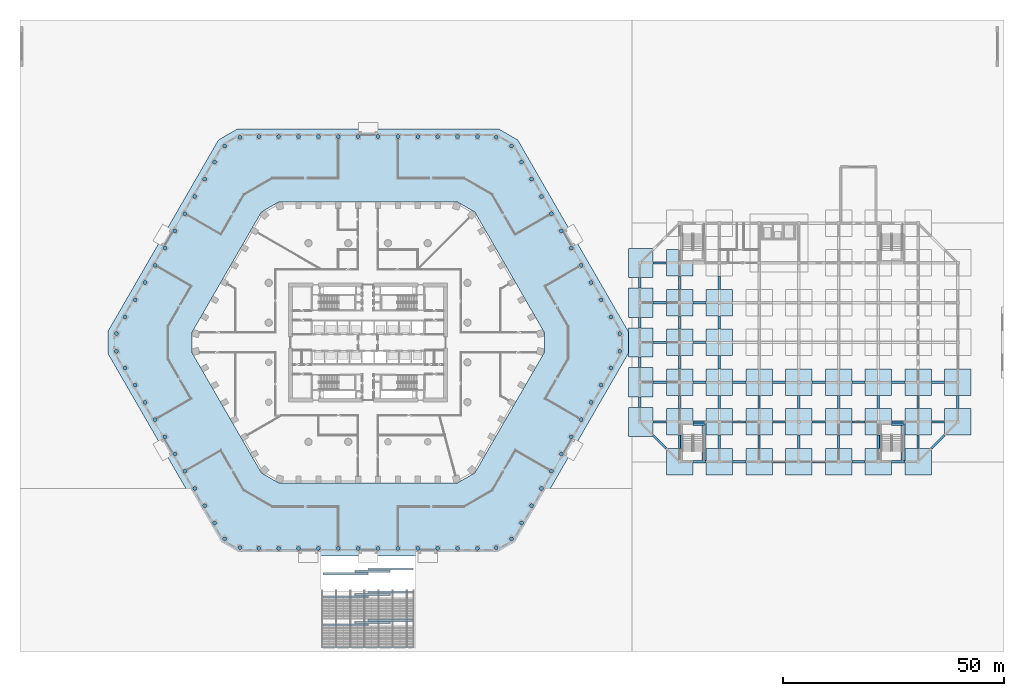
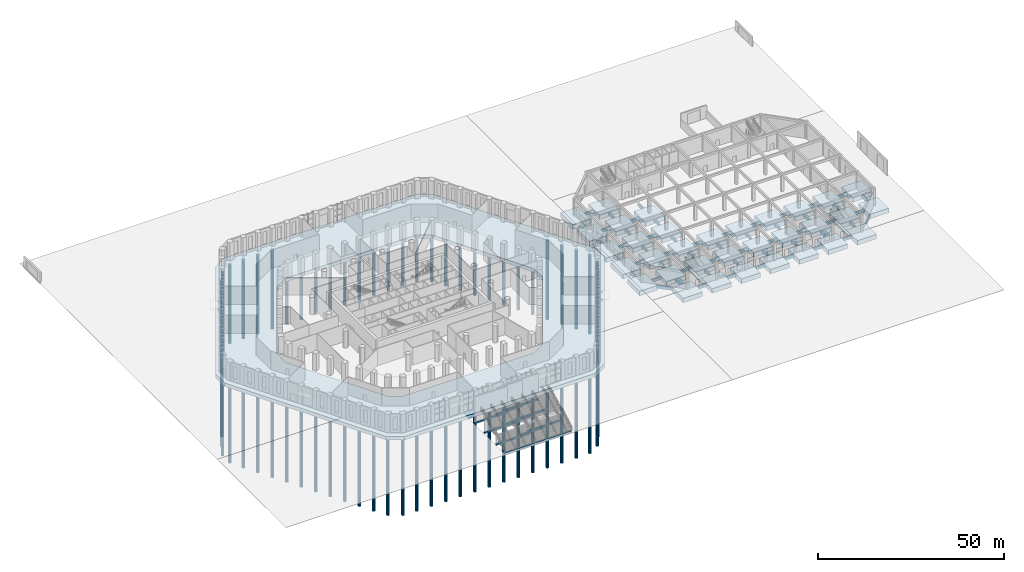
# One storey, part 1 of 44: 104 footings, 76 piles.
"""IFC4 building model written with IfcOpenShell, lengths in metres."""

from ifc_helpers import new_model, si_unit, direction, frame, origin, origin_2d, place, context, subcontext, project, spatial, polyline, rectangle, circle, outline, extrude, material, layer, layer_set, material_profile, profile_set, type_object, element, save


model = new_model("IFC4")

# Units and contexts
model_context = context("Model", 3, precision=1e-05, world=origin(), true_north=direction((0.0, 1.0)))
body_context = subcontext(model_context, "Body", "Model", "MODEL_VIEW")
ifc_project = project(units=[si_unit("LENGTHUNIT", "METRE"), si_unit("AREAUNIT", "SQUARE_METRE"), si_unit("VOLUMEUNIT", "CUBIC_METRE"), si_unit("PLANEANGLEUNIT", "RADIAN"), si_unit("MASSUNIT", "GRAM", prefix="KILO")], contexts=[model_context])

# Site, building, storey
site_placement = place(None, origin())
site = spatial("IfcSite", under=ifc_project, at=site_placement, CompositionType="ELEMENT")
building_placement = place(site_placement, origin())
building = spatial("IfcBuilding", under=site, at=building_placement, Name="Dhurran Vertical Campus", CompositionType="ELEMENT")
storey_placement = place(building_placement, origin())
storey = spatial("IfcBuildingStorey", under=building, at=storey_placement, Name="L00", CompositionType="ELEMENT", Elevation=0.0)

# Piles
ifc_material_1 = material(Name="Concrete C50/60", Category="concrete")
ifc_material_profile_1 = material_profile(ifc_material_1, circle(Radius=0.449951171875, at=origin_2d()), Name="fd/pile/D900")
ifc_profile_set_1 = profile_set([ifc_material_profile_1], Name="Concrete C50/60")
pile_type = type_object("IfcPileType", Name="fd/pile/D900", PredefinedType="BORED", material=ifc_profile_set_1)
for number, where, z_axis, x_axis, name in (
    (1, (-56.97900390625, -2.00390625, -1.5), (0.0, 0.0, -1.0), (1.0, 0.0, 0.0), "Bored pile PL2-001"),
    (2, (-56.97900390625, 2.00390625, -1.5), (0.0, 0.0, -1.0), (1.0, 0.0, 0.0), "Bored pile PL2-002"),
    (3, (-54.998046875, -5.77197265625, -1.5), (0.0, 0.0, -1.0), (1.0, 0.0, 0.0), "Bored pile PL2-003"),
    (4, (-54.998046875, 5.77197265625, -1.5), (0.0, 0.0, -1.0), (1.0, 0.0, 0.0), "Bored pile PL2-004"),
    (5, (-52.748046875, -9.6689453125, -1.5), (0.0, 0.0, -1.0), (1.0, 0.0, 0.0), "Bored pile PL2-005"),
    (6, (-52.748046875, 9.6689453125, -1.5), (0.0, 0.0, -1.0), (1.0, 0.0, 0.0), "Bored pile PL2-006"),
    (7, (-50.498046875, -13.56591796875, -1.5), (0.0, 0.0, -1.0), (1.0, 0.0, 0.0), "Bored pile PL2-007"),
    (8, (-50.498046875, 13.56591796875, -1.5), (0.0, 0.0, -1.0), (1.0, 0.0, 0.0), "Bored pile PL2-008"),
    (9, (-48.248046875, -17.462890625, -1.5), (0.0, 0.0, -1.0), (1.0, 0.0, 0.0), "Bored pile PL2-009"),
    (10, (-48.248046875, 17.462890625, -1.5), (0.0, 0.0, -1.0), (1.0, 0.0, 0.0), "Bored pile PL2-010"),
    (11, (-45.998046875, -21.361083984375, -1.5), (0.0, 0.0, -1.0), (1.0, 0.0, 0.0), "Bored pile PL2-011"),
    (12, (-45.998046875, 21.361083984375, -1.5), (0.0, 0.0, -1.0), (1.0, 0.0, 0.0), "Bored pile PL2-012"),
    (13, (-43.748046875, -25.258056640625, -1.5), (0.0, 0.0, -1.0), (1.0, 0.0, 0.0), "Bored pile PL2-013"),
    (14, (-43.748046875, 25.258056640625, -1.5), (0.0, 0.0, -1.0), (1.0, 0.0, 0.0), "Bored pile PL2-014"),
    (15, (-41.498046875, -29.155029296875, -1.5), (0.0, 0.0, -1.0), (1.0, 0.0, 0.0), "Bored pile PL2-015"),
    (16, (-41.498046875, 29.155029296875, -1.5), (0.0, 0.0, -1.0), (1.0, 0.0, 0.0), "Bored pile PL2-016"),
    (17, (-39.248046875, -33.052001953125, -1.5), (0.0, 0.0, -1.0), (1.0, 0.0, 0.0), "Bored pile PL2-017"),
    (18, (-39.248046875, 33.052001953125, -1.5), (0.0, 0.0, -1.0), (1.0, 0.0, 0.0), "Bored pile PL2-018"),
    (19, (-36.998046875, -36.948974609375, -1.5), (0.0, 0.0, -1.0), (1.0, 0.0, 0.0), "Bored pile PL2-019"),
    (20, (-36.998046875, 36.948974609375, -1.5), (0.0, 0.0, -1.0), (1.0, 0.0, 0.0), "Bored pile PL2-020"),
    (21, (-34.748046875, -40.845947265625, -1.5), (0.0, 0.0, -1.0), (1.0, 0.0, 0.0), "Bored pile PL2-021"),
    (22, (-34.748046875, 40.845947265625, -1.5), (0.0, 0.0, -1.0), (1.0, 0.0, 0.0), "Bored pile PL2-022"),
    (23, (-32.47509765625, -44.446044921875, -1.5), (0.0, 0.0, -1.0), (1.0, 0.0, 0.0), "Bored pile PL2-023"),
    (24, (-32.47509765625, 44.446044921875, -1.5), (0.0, 0.0, -1.0), (1.0, 0.0, 0.0), "Bored pile PL2-024"),
    (25, (-29.00390625, -46.449951171875, -1.5), (0.0, 0.0, -1.0), (1.0, 0.0, 0.0), "Bored pile PL2-025"),
    (26, (-29.00390625, 46.449951171875, -1.5), (0.0, 0.0, -1.0), (1.0, 0.0, 0.0), "Bored pile PL2-026"),
    (27, (-24.75, -46.617919921875, -1.5), (0.0, 0.0, -1.0), (1.0, 0.0, 0.0), "Bored pile PL2-027"),
    (28, (-24.75, 46.617919921875, -1.5), (0.0, 0.0, -1.0), (1.0, 0.0, 0.0), "Bored pile PL2-028"),
    (29, (-20.25, -46.617919921875, -1.5), (0.0, 0.0, -1.0), (1.0, 0.0, 0.0), "Bored pile PL2-029"),
    (30, (-20.25, 46.617919921875, -1.5), (0.0, 0.0, -1.0), (1.0, 0.0, 0.0), "Bored pile PL2-030"),
    (31, (-15.75, -46.617919921875, -1.5), (0.0, 0.0, -1.0), (1.0, 0.0, 0.0), "Bored pile PL2-031"),
    (32, (-15.75, 46.617919921875, -1.5), (0.0, 0.0, -1.0), (1.0, 0.0, 0.0), "Bored pile PL2-032"),
    (33, (-11.25, -46.617919921875, -1.5), (0.0, 0.0, -1.0), (1.0, 0.0, 0.0), "Bored pile PL2-033"),
    (34, (-11.25, 46.617919921875, -1.5), (0.0, 0.0, -1.0), (1.0, 0.0, 0.0), "Bored pile PL2-034"),
    (35, (-6.75, -46.617919921875, -1.5), (0.0, 0.0, -1.0), (1.0, 0.0, 0.0), "Bored pile PL2-035"),
    (36, (-6.75, 46.617919921875, -1.5), (0.0, 0.0, -1.0), (1.0, 0.0, 0.0), "Bored pile PL2-036"),
    (37, (-2.25, -46.617919921875, -1.5), (0.0, 0.0, -1.0), (1.0, 0.0, 0.0), "Bored pile PL2-037"),
    (38, (-2.25, 46.617919921875, -1.5), (0.0, 0.0, -1.0), (1.0, 0.0, 0.0), "Bored pile PL2-038"),
    (39, (2.25, -46.617919921875, -1.5), (0.0, 0.0, -1.0), (1.0, 0.0, 0.0), "Bored pile PL2-039"),
    (40, (2.25, 46.617919921875, -1.5), (0.0, 0.0, -1.0), (1.0, 0.0, 0.0), "Bored pile PL2-040"),
    (41, (6.75, -46.617919921875, -1.5), (0.0, 0.0, -1.0), (1.0, 0.0, 0.0), "Bored pile PL2-041"),
    (42, (6.75, 46.617919921875, -1.5), (0.0, 0.0, -1.0), (1.0, 0.0, 0.0), "Bored pile PL2-042"),
    (43, (11.25, -46.617919921875, -1.5), (0.0, 0.0, -1.0), (1.0, 0.0, 0.0), "Bored pile PL2-043"),
    (44, (11.25, 46.617919921875, -1.5), (0.0, 0.0, -1.0), (1.0, 0.0, 0.0), "Bored pile PL2-044"),
    (45, (15.75, -46.617919921875, -1.5), (0.0, 0.0, -1.0), (1.0, 0.0, 0.0), "Bored pile PL2-045"),
    (46, (15.75, 46.617919921875, -1.5), (0.0, 0.0, -1.0), (1.0, 0.0, 0.0), "Bored pile PL2-046"),
    (47, (20.25, -46.617919921875, -1.5), (0.0, 0.0, -1.0), (1.0, 0.0, 0.0), "Bored pile PL2-047"),
    (48, (20.25, 46.617919921875, -1.5), (0.0, 0.0, -1.0), (1.0, 0.0, 0.0), "Bored pile PL2-048"),
    (49, (24.75, -46.617919921875, -1.5), (0.0, 0.0, -1.0), (1.0, 0.0, 0.0), "Bored pile PL2-049"),
    (50, (24.75, 46.617919921875, -1.5), (0.0, 0.0, -1.0), (1.0, 0.0, 0.0), "Bored pile PL2-050"),
    (51, (29.00390625, -46.449951171875, -1.5), (0.0, 0.0, -1.0), (1.0, 0.0, 0.0), "Bored pile PL2-051"),
    (52, (29.00390625, 46.449951171875, -1.5), (0.0, 0.0, -1.0), (1.0, 0.0, 0.0), "Bored pile PL2-052"),
    (53, (32.47509765625, -44.446044921875, -1.5), (0.0, 0.0, -1.0), (1.0, 0.0, 0.0), "Bored pile PL2-053"),
    (54, (32.47509765625, 44.446044921875, -1.5), (0.0, 0.0, -1.0), (1.0, 0.0, 0.0), "Bored pile PL2-054"),
    (55, (34.748046875, -40.845947265625, -1.5), (0.0, 0.0, -1.0), (1.0, 0.0, 0.0), "Bored pile PL2-055"),
    (56, (34.748046875, 40.845947265625, -1.5), (0.0, 0.0, -1.0), (1.0, 0.0, 0.0), "Bored pile PL2-056"),
    (57, (36.998046875, -36.948974609375, -1.5), (0.0, 0.0, -1.0), (1.0, 0.0, 0.0), "Bored pile PL2-057"),
    (58, (36.998046875, 36.948974609375, -1.5), (0.0, 0.0, -1.0), (1.0, 0.0, 0.0), "Bored pile PL2-058"),
    (59, (39.248046875, -33.052001953125, -1.5), (0.0, 0.0, -1.0), (1.0, 0.0, 0.0), "Bored pile PL2-059"),
    (60, (39.248046875, 33.052001953125, -1.5), (0.0, 0.0, -1.0), (1.0, 0.0, 0.0), "Bored pile PL2-060"),
    (61, (41.498046875, -29.155029296875, -1.5), (0.0, 0.0, -1.0), (1.0, 0.0, 0.0), "Bored pile PL2-061"),
    (62, (41.498046875, 29.155029296875, -1.5), (0.0, 0.0, -1.0), (1.0, 0.0, 0.0), "Bored pile PL2-062"),
    (63, (43.748046875, -25.258056640625, -1.5), (0.0, 0.0, -1.0), (1.0, 0.0, 0.0), "Bored pile PL2-063"),
    (64, (43.748046875, 25.258056640625, -1.5), (0.0, 0.0, -1.0), (1.0, 0.0, 0.0), "Bored pile PL2-064"),
    (65, (45.998046875, -21.361083984375, -1.5), (0.0, 0.0, -1.0), (1.0, 0.0, 0.0), "Bored pile PL2-065"),
    (66, (45.998046875, 21.361083984375, -1.5), (0.0, 0.0, -1.0), (1.0, 0.0, 0.0), "Bored pile PL2-066"),
    (67, (48.248046875, -17.462890625, -1.5), (0.0, 0.0, -1.0), (1.0, 0.0, 0.0), "Bored pile PL2-067"),
    (68, (48.248046875, 17.462890625, -1.5), (0.0, 0.0, -1.0), (1.0, 0.0, 0.0), "Bored pile PL2-068"),
    (69, (50.498046875, -13.56591796875, -1.5), (0.0, 0.0, -1.0), (1.0, 0.0, 0.0), "Bored pile PL2-069"),
    (70, (50.498046875, 13.56591796875, -1.5), (0.0, 0.0, -1.0), (1.0, 0.0, 0.0), "Bored pile PL2-070"),
    (71, (52.748046875, -9.6689453125, -1.5), (0.0, 0.0, -1.0), (1.0, 0.0, 0.0), "Bored pile PL2-071"),
    (72, (52.748046875, 9.6689453125, -1.5), (0.0, 0.0, -1.0), (1.0, 0.0, 0.0), "Bored pile PL2-072"),
    (73, (54.998046875, -5.77197265625, -1.5), (0.0, 0.0, -1.0), (1.0, 0.0, 0.0), "Bored pile PL2-073"),
    (74, (54.998046875, 5.77197265625, -1.5), (0.0, 0.0, -1.0), (1.0, 0.0, 0.0), "Bored pile PL2-074"),
    (75, (56.97900390625, -2.00390625, -1.5), (0.0, 0.0, -1.0), (1.0, 0.0, 0.0), "Bored pile PL2-075"),
    (76, (56.97900390625, 2.00390625, -1.5), (0.0, 0.0, -1.0), (1.0, 0.0, 0.0), "Bored pile PL2-076"),
):
    element("IfcPile", number, at=place(storey_placement, frame(where, z_axis=z_axis, x_axis=x_axis)), inside=storey, type_object=pile_type, Name=name, PredefinedType="BORED", context=body_context, shape_type="SweptSolid", body=[
        extrude(circle(Radius=0.449951171875, at=origin_2d()), origin(), (0.0, 0.0, 1.0), 26.0),
    ])

# Footings
ifc_material_2 = material(Name="Concrete C50/60", Category="concrete")
ifc_layer = layer(ifc_material_2, 1.199951171875)
ifc_layer_set = layer_set([ifc_layer], Name="Concrete C50/60")
footing_type_1 = type_object("IfcFootingType", Name="fd/raft/T1200", PredefinedType="USERDEFINED", material=ifc_layer_set)
footing_1_placement = place(storey_placement, frame((0.0, 0.0, -1.64990234375)))
element("IfcFooting", 77, at=footing_1_placement, inside=storey, type_object=footing_type_1, Name="Podium ring raft RF2", ObjectType="RING RAFT", PredefinedType="USERDEFINED", context=body_context, shape_type="SweptSolid", body=[
    extrude(outline(polyline([(-33.87890625, -45.85009765625), (-29.51806640625, -48.367919921875), (29.51806640625, -48.367919921875), (33.87890625, -45.85009765625), (58.89697265625, -2.51806640625), (58.89697265625, 2.51806640625), (33.87890625, 45.85009765625), (29.51806640625, 48.367919921875), (-29.51806640625, 48.367919921875), (-33.87890625, 45.85009765625), (-58.89697265625, 2.51806640625), (-58.89697265625, -2.51806640625), (-33.87890625, -45.85009765625)]), holes=[polyline([(20.25, -31.780029296875), (24.14697265625, -29.530029296875), (39.89697265625, -2.25), (39.89697265625, 2.25), (24.14697265625, 29.530029296875), (20.25, 31.780029296875), (-20.25, 31.780029296875), (-24.14697265625, 29.530029296875), (-39.89697265625, 2.25), (-39.89697265625, -2.25), (-24.14697265625, -29.530029296875), (-20.25, -31.780029296875), (20.25, -31.780029296875)])]), origin(), (0.0, 0.0, 1.0), 1.199951171875),
])
ifc_material_3 = material(Name="Concrete C35/45", Category="concrete")
ifc_material_profile_2 = material_profile(ifc_material_3, rectangle(XDim=0.5, YDim=0.89990234375, at=origin_2d()), Name="hl-ground beam 500x900")
ifc_profile_set_2 = profile_set([ifc_material_profile_2], Name="Concrete C35/45")
footing_type_2 = type_object("IfcFootingType", Name="hl-ground beam 500x900", PredefinedType="FOOTING_BEAM", material=ifc_profile_set_2)
footing_2_placement = place(storey_placement, frame((61.5, -14.699951171875, -0.72998046875), z_axis=(0.0, 1.0, 0.0), x_axis=(-1.0, 0.0, 0.0)))
element("IfcFooting", 78, at=footing_2_placement, inside=storey, type_object=footing_type_2, Name="Hall ground beam 001", PredefinedType="FOOTING_BEAM", context=body_context, shape_type="SweptSolid", body=[
    extrude(rectangle(XDim=0.5, YDim=0.89990234375, at=origin_2d()), origin(), (0.0, 0.0, 1.0), 2.39990234375),
])
footing_3_placement = place(storey_placement, frame((64.5, -21.0, -0.72998046875), z_axis=(0.707106781187, -0.707106781187, 0.0), x_axis=(0.707106781187, 0.707106781187, 0.0)))
element("IfcFooting", 79, at=footing_3_placement, inside=storey, type_object=footing_type_2, Name="Hall ground beam 002", PredefinedType="FOOTING_BEAM", context=body_context, shape_type="SweptSolid", body=[
    extrude(rectangle(XDim=0.5, YDim=0.89990234375, at=origin_2d()), origin(), (0.0, 0.0, 1.0), 4.24267578125),
])
footing_4_placement = place(storey_placement, frame((64.5, -18.0, -0.72998046875), z_axis=(1.0, 0.0, 0.0), x_axis=(0.0, 1.0, 0.0)))
element("IfcFooting", 80, at=footing_4_placement, inside=storey, type_object=footing_type_2, Name="Hall ground beam 003", PredefinedType="FOOTING_BEAM", context=body_context, shape_type="SweptSolid", body=[
    extrude(rectangle(XDim=0.5, YDim=0.89990234375, at=origin_2d()), origin(), (0.0, 0.0, 1.0), 3.0),
])
footing_5_placement = place(storey_placement, frame((61.5, -5.699951171875, -0.72998046875), z_axis=(0.0, 1.0, 0.0), x_axis=(-1.0, 0.0, 0.0)))
element("IfcFooting", 81, at=footing_5_placement, inside=storey, type_object=footing_type_2, Name="Hall ground beam 004", PredefinedType="FOOTING_BEAM", context=body_context, shape_type="SweptSolid", body=[
    extrude(rectangle(XDim=0.5, YDim=0.89990234375, at=origin_2d()), origin(), (0.0, 0.0, 1.0), 2.39990234375),
])
footing_6_placement = place(storey_placement, frame((64.5, -9.0, -0.72998046875), z_axis=(1.0, 0.0, 0.0), x_axis=(0.0, 1.0, 0.0)))
element("IfcFooting", 82, at=footing_6_placement, inside=storey, type_object=footing_type_2, Name="Hall ground beam 005", PredefinedType="FOOTING_BEAM", context=body_context, shape_type="SweptSolid", body=[
    extrude(rectangle(XDim=0.5, YDim=0.89990234375, at=origin_2d()), origin(), (0.0, 0.0, 1.0), 3.0),
])
footing_7_placement = place(storey_placement, frame((61.5, 3.300048828125, -0.72998046875), z_axis=(0.0, 1.0, 0.0), x_axis=(-1.0, 0.0, 0.0)))
element("IfcFooting", 83, at=footing_7_placement, inside=storey, type_object=footing_type_2, Name="Hall ground beam 006", PredefinedType="FOOTING_BEAM", context=body_context, shape_type="SweptSolid", body=[
    extrude(rectangle(XDim=0.5, YDim=0.89990234375, at=origin_2d()), origin(), (0.0, 0.0, 1.0), 2.39990234375),
])
footing_8_placement = place(storey_placement, frame((64.5, 0.0, -0.72998046875), z_axis=(1.0, 0.0, 0.0), x_axis=(0.0, 1.0, 0.0)))
element("IfcFooting", 84, at=footing_8_placement, inside=storey, type_object=footing_type_2, Name="Hall ground beam 007", PredefinedType="FOOTING_BEAM", context=body_context, shape_type="SweptSolid", body=[
    extrude(rectangle(XDim=0.5, YDim=0.89990234375, at=origin_2d()), origin(), (0.0, 0.0, 1.0), 3.0),
])
footing_9_placement = place(storey_placement, frame((61.5, 12.300048828125, -0.72998046875), z_axis=(0.0, 1.0, 0.0), x_axis=(-1.0, 0.0, 0.0)))
element("IfcFooting", 85, at=footing_9_placement, inside=storey, type_object=footing_type_2, Name="Hall ground beam 008", PredefinedType="FOOTING_BEAM", context=body_context, shape_type="SweptSolid", body=[
    extrude(rectangle(XDim=0.5, YDim=0.89990234375, at=origin_2d()), origin(), (0.0, 0.0, 1.0), 2.39990234375),
])
for number, where, z_axis, x_axis, name in (
    (86, (64.5, 9.0, -0.72998046875), (1.0, 0.0, 0.0), (0.0, 1.0, 0.0), "Hall ground beam 009"),
    (87, (64.5, 18.0, -0.72998046875), (1.0, 0.0, 0.0), (0.0, 1.0, 0.0), "Hall ground beam 010"),
    (88, (70.5, -24.0, -0.72998046875), (0.0, 1.0, 0.0), (-1.0, 0.0, 0.0), "Hall ground beam 011"),
    (89, (73.5, -27.0, -0.72998046875), (1.0, 0.0, 0.0), (0.0, 1.0, 0.0), "Hall ground beam 012"),
    (90, (70.5, -15.0, -0.72998046875), (0.0, 1.0, 0.0), (-1.0, 0.0, 0.0), "Hall ground beam 013"),
    (91, (73.5, -18.0, -0.72998046875), (1.0, 0.0, 0.0), (0.0, 1.0, 0.0), "Hall ground beam 014"),
    (92, (70.5, -6.0, -0.72998046875), (0.0, 1.0, 0.0), (-1.0, 0.0, 0.0), "Hall ground beam 015"),
    (93, (73.5, -9.0, -0.72998046875), (1.0, 0.0, 0.0), (0.0, 1.0, 0.0), "Hall ground beam 016"),
    (94, (70.5, 3.0, -0.72998046875), (0.0, 1.0, 0.0), (-1.0, 0.0, 0.0), "Hall ground beam 017"),
    (95, (73.5, 0.0, -0.72998046875), (1.0, 0.0, 0.0), (0.0, 1.0, 0.0), "Hall ground beam 018"),
    (96, (70.5, 12.0, -0.72998046875), (0.0, 1.0, 0.0), (-1.0, 0.0, 0.0), "Hall ground beam 019"),
    (97, (73.5, 9.0, -0.72998046875), (1.0, 0.0, 0.0), (0.0, 1.0, 0.0), "Hall ground beam 020"),
    (98, (79.5, -24.0, -0.72998046875), (0.0, 1.0, 0.0), (-1.0, 0.0, 0.0), "Hall ground beam 025"),
    (99, (82.5, -27.0, -0.72998046875), (1.0, 0.0, 0.0), (0.0, 1.0, 0.0), "Hall ground beam 026"),
    (100, (79.5, -15.0, -0.72998046875), (0.0, 1.0, 0.0), (-1.0, 0.0, 0.0), "Hall ground beam 027"),
    (101, (82.5, -18.0, -0.72998046875), (1.0, 0.0, 0.0), (0.0, 1.0, 0.0), "Hall ground beam 028"),
    (102, (79.5, -6.0, -0.72998046875), (0.0, 1.0, 0.0), (-1.0, 0.0, 0.0), "Hall ground beam 029"),
    (103, (82.5, -9.0, -0.72998046875), (1.0, 0.0, 0.0), (0.0, 1.0, 0.0), "Hall ground beam 030"),
    (104, (79.5, 3.0, -0.72998046875), (0.0, 1.0, 0.0), (-1.0, 0.0, 0.0), "Hall ground beam 031"),
    (105, (79.5, 12.0, -0.72998046875), (0.0, 1.0, 0.0), (-1.0, 0.0, 0.0), "Hall ground beam 033"),
    (106, (88.5, -24.0, -0.72998046875), (0.0, 1.0, 0.0), (-1.0, 0.0, 0.0), "Hall ground beam 038"),
    (107, (91.5, -27.0, -0.72998046875), (1.0, 0.0, 0.0), (0.0, 1.0, 0.0), "Hall ground beam 039"),
    (108, (88.5, -15.0, -0.72998046875), (0.0, 1.0, 0.0), (-1.0, 0.0, 0.0), "Hall ground beam 040"),
    (109, (91.5, -18.0, -0.72998046875), (1.0, 0.0, 0.0), (0.0, 1.0, 0.0), "Hall ground beam 041"),
    (110, (91.5, -9.0, -0.72998046875), (1.0, 0.0, 0.0), (0.0, 1.0, 0.0), "Hall ground beam 043"),
    (111, (97.5, -24.0, -0.72998046875), (0.0, 1.0, 0.0), (-1.0, 0.0, 0.0), "Hall ground beam 048"),
    (112, (100.5, -27.0, -0.72998046875), (1.0, 0.0, 0.0), (0.0, 1.0, 0.0), "Hall ground beam 049"),
    (113, (97.5, -15.0, -0.72998046875), (0.0, 1.0, 0.0), (-1.0, 0.0, 0.0), "Hall ground beam 050"),
    (114, (100.5, -18.0, -0.72998046875), (1.0, 0.0, 0.0), (0.0, 1.0, 0.0), "Hall ground beam 051"),
    (115, (100.5, -9.0, -0.72998046875), (1.0, 0.0, 0.0), (0.0, 1.0, 0.0), "Hall ground beam 053"),
    (116, (106.5, -24.0, -0.72998046875), (0.0, 1.0, 0.0), (-1.0, 0.0, 0.0), "Hall ground beam 060"),
    (117, (109.5, -27.0, -0.72998046875), (1.0, 0.0, 0.0), (0.0, 1.0, 0.0), "Hall ground beam 061"),
    (118, (106.5, -15.0, -0.72998046875), (0.0, 1.0, 0.0), (-1.0, 0.0, 0.0), "Hall ground beam 062"),
    (119, (109.5, -18.0, -0.72998046875), (1.0, 0.0, 0.0), (0.0, 1.0, 0.0), "Hall ground beam 063"),
    (120, (109.5, -9.0, -0.72998046875), (1.0, 0.0, 0.0), (0.0, 1.0, 0.0), "Hall ground beam 065"),
    (121, (115.5, -24.0, -0.72998046875), (0.0, 1.0, 0.0), (-1.0, 0.0, 0.0), "Hall ground beam 073"),
    (122, (118.5, -27.0, -0.72998046875), (1.0, 0.0, 0.0), (0.0, 1.0, 0.0), "Hall ground beam 074"),
    (123, (115.5, -15.0, -0.72998046875), (0.0, 1.0, 0.0), (-1.0, 0.0, 0.0), "Hall ground beam 075"),
    (124, (118.5, -18.0, -0.72998046875), (1.0, 0.0, 0.0), (0.0, 1.0, 0.0), "Hall ground beam 076"),
    (125, (118.5, -9.0, -0.72998046875), (1.0, 0.0, 0.0), (0.0, 1.0, 0.0), "Hall ground beam 078"),
    (126, (124.5, -24.0, -0.72998046875), (0.0, 1.0, 0.0), (-1.0, 0.0, 0.0), "Hall ground beam 086"),
):
    element("IfcFooting", number, at=place(storey_placement, frame(where, z_axis=z_axis, x_axis=x_axis)), inside=storey, type_object=footing_type_2, Name=name, PredefinedType="FOOTING_BEAM", context=body_context, shape_type="SweptSolid", body=[
        extrude(rectangle(XDim=0.5, YDim=0.89990234375, at=origin_2d()), origin(), (0.0, 0.0, 1.0), 3.0),
    ])
footing_10_placement = place(storey_placement, frame((127.5, -24.0, -0.72998046875), z_axis=(0.707106781187, 0.707106781187, 0.0), x_axis=(-0.707106781187, 0.707106781187, 0.0)))
element("IfcFooting", 127, at=footing_10_placement, inside=storey, type_object=footing_type_2, Name="Hall ground beam 087", PredefinedType="FOOTING_BEAM", context=body_context, shape_type="SweptSolid", body=[
    extrude(rectangle(XDim=0.5, YDim=0.89990234375, at=origin_2d()), origin(), (0.0, 0.0, 1.0), 4.24267578125),
])
for number, where, z_axis, x_axis, name in (
    (128, (124.5, -15.0, -0.72998046875), (0.0, 1.0, 0.0), (-1.0, 0.0, 0.0), "Hall ground beam 088"),
    (129, (127.5, -18.0, -0.72998046875), (1.0, 0.0, 0.0), (0.0, 1.0, 0.0), "Hall ground beam 089"),
    (130, (127.5, -9.0, -0.72998046875), (1.0, 0.0, 0.0), (0.0, 1.0, 0.0), "Hall ground beam 091"),
    (131, (133.5, -15.0, -0.72998046875), (0.0, 1.0, 0.0), (-1.0, 0.0, 0.0), "Hall ground beam 098"),
):
    element("IfcFooting", number, at=place(storey_placement, frame(where, z_axis=z_axis, x_axis=x_axis)), inside=storey, type_object=footing_type_2, Name=name, PredefinedType="FOOTING_BEAM", context=body_context, shape_type="SweptSolid", body=[
        extrude(rectangle(XDim=0.5, YDim=0.89990234375, at=origin_2d()), origin(), (0.0, 0.0, 1.0), 3.0),
    ])
ifc_material_4 = material(Name="Concrete C35/45", Category="concrete")
footing_type_3 = type_object("IfcFootingType", Name="hl-pad footing 6000x6000x1500", PredefinedType="PAD_FOOTING", material=ifc_material_4)
for number, where, z_axis, x_axis, name in (
    (132, (70.5, -27.0, -1.780029296875), (0.0, 0.0, 1.0), (1.0, 0.0, 0.0), "Hall pad footing HB1"),
    (133, (79.5, -27.0, -1.780029296875), (0.0, 0.0, 1.0), (1.0, 0.0, 0.0), "Hall pad footing HC1"),
    (134, (88.5, -27.0, -1.780029296875), (0.0, 0.0, 1.0), (1.0, 0.0, 0.0), "Hall pad footing HD1"),
    (135, (97.5, -27.0, -1.780029296875), (0.0, 0.0, 1.0), (1.0, 0.0, 0.0), "Hall pad footing HE1"),
    (136, (106.5, -27.0, -1.780029296875), (0.0, 0.0, 1.0), (1.0, 0.0, 0.0), "Hall pad footing HF1"),
    (137, (115.5, -27.0, -1.780029296875), (0.0, 0.0, 1.0), (1.0, 0.0, 0.0), "Hall pad footing HG1"),
    (138, (124.5, -27.0, -1.780029296875), (0.0, 0.0, 1.0), (1.0, 0.0, 0.0), "Hall pad footing HH1"),
    (139, (70.5, -18.0, -1.780029296875), (0.0, 0.0, 1.0), (1.0, 0.0, 0.0), "Hall pad footing HB2"),
    (140, (79.5, -18.0, -1.780029296875), (0.0, 0.0, 1.0), (1.0, 0.0, 0.0), "Hall pad footing HC2"),
    (141, (88.5, -18.0, -1.780029296875), (0.0, 0.0, 1.0), (1.0, 0.0, 0.0), "Hall pad footing HD2"),
    (142, (97.5, -18.0, -1.780029296875), (0.0, 0.0, 1.0), (1.0, 0.0, 0.0), "Hall pad footing HE2"),
    (143, (106.5, -18.0, -1.780029296875), (0.0, 0.0, 1.0), (1.0, 0.0, 0.0), "Hall pad footing HF2"),
    (144, (115.5, -18.0, -1.780029296875), (0.0, 0.0, 1.0), (1.0, 0.0, 0.0), "Hall pad footing HG2"),
    (145, (124.5, -18.0, -1.780029296875), (0.0, 0.0, 1.0), (1.0, 0.0, 0.0), "Hall pad footing HH2"),
    (146, (133.5, -18.0, -1.780029296875), (0.0, 0.0, 1.0), (1.0, 0.0, 0.0), "Hall pad footing HJ2"),
    (147, (70.5, -9.0, -1.780029296875), (0.0, 0.0, 1.0), (1.0, 0.0, 0.0), "Hall pad footing HB3"),
    (148, (79.5, -9.0, -1.780029296875), (0.0, 0.0, 1.0), (1.0, 0.0, 0.0), "Hall pad footing HC3"),
    (149, (88.5, -9.0, -1.780029296875), (0.0, 0.0, 1.0), (1.0, 0.0, 0.0), "Hall pad footing HD3"),
    (150, (97.5, -9.0, -1.780029296875), (0.0, 0.0, 1.0), (1.0, 0.0, 0.0), "Hall pad footing HE3"),
    (151, (106.5, -9.0, -1.780029296875), (0.0, 0.0, 1.0), (1.0, 0.0, 0.0), "Hall pad footing HF3"),
    (152, (115.5, -9.0, -1.780029296875), (0.0, 0.0, 1.0), (1.0, 0.0, 0.0), "Hall pad footing HG3"),
    (153, (124.5, -9.0, -1.780029296875), (0.0, 0.0, 1.0), (1.0, 0.0, 0.0), "Hall pad footing HH3"),
    (154, (133.5, -9.0, -1.780029296875), (0.0, 0.0, 1.0), (1.0, 0.0, 0.0), "Hall pad footing HJ3"),
    (155, (70.5, 0.0, -1.780029296875), (0.0, 0.0, 1.0), (1.0, 0.0, 0.0), "Hall pad footing HB4"),
    (156, (79.5, 0.0, -1.780029296875), (0.0, 0.0, 1.0), (1.0, 0.0, 0.0), "Hall pad footing HC4"),
    (157, (70.5, 9.0, -1.780029296875), (0.0, 0.0, 1.0), (1.0, 0.0, 0.0), "Hall pad footing HB5"),
    (158, (79.5, 9.0, -1.780029296875), (0.0, 0.0, 1.0), (1.0, 0.0, 0.0), "Hall pad footing HC5"),
    (159, (70.5, 18.0, -1.780029296875), (0.0, 0.0, 1.0), (1.0, 0.0, 0.0), "Hall pad footing HB6"),
):
    element("IfcFooting", number, at=place(storey_placement, frame(where, z_axis=z_axis, x_axis=x_axis)), inside=storey, type_object=footing_type_3, Name=name, PredefinedType="PAD_FOOTING", context=body_context, shape_type="SweptSolid", body=[
        extrude(rectangle(XDim=6.0, YDim=6.0, at=origin_2d()), origin(), (0.0, 0.0, 1.0), 1.5),
    ])
ifc_material_5 = material(Name="Concrete C35/45", Category="concrete")
footing_type_4 = type_object("IfcFootingType", Name="hl-pad footing edge 5500x6600x1500", PredefinedType="PAD_FOOTING", material=ifc_material_5)
for number, where, z_axis, x_axis, name in (
    (160, (61.75, -18.0, -1.780029296875), (0.0, 0.0, 1.0), (1.0, 0.0, 0.0), "Hall pad footing HA2"),
    (161, (61.75, -9.0, -1.780029296875), (0.0, 0.0, 1.0), (1.0, 0.0, 0.0), "Hall pad footing HA3"),
    (162, (61.75, 0.0, -1.780029296875), (0.0, 0.0, 1.0), (1.0, 0.0, 0.0), "Hall pad footing HA4"),
    (163, (61.75, 9.0, -1.780029296875), (0.0, 0.0, 1.0), (1.0, 0.0, 0.0), "Hall pad footing HA5"),
    (164, (61.75, 18.0, -1.780029296875), (0.0, 0.0, 1.0), (1.0, 0.0, 0.0), "Hall pad footing HA6"),
):
    element("IfcFooting", number, at=place(storey_placement, frame(where, z_axis=z_axis, x_axis=x_axis)), inside=storey, type_object=footing_type_4, Name=name, PredefinedType="PAD_FOOTING", context=body_context, shape_type="SweptSolid", body=[
        extrude(rectangle(XDim=5.5, YDim=6.60009765625, at=origin_2d()), origin(), (0.0, 0.0, 1.0), 1.5),
    ])
ifc_material_6 = material(Name="Concrete C35/45", Category="concrete")
footing_type_5 = type_object("IfcFootingType", Name="hl-stair shaft strip footing 900x600", PredefinedType="STRIP_FOOTING", material=ifc_material_6)
footing_11_placement = place(storey_placement, frame((0.0, 0.0, -0.8798828125)))
element("IfcFooting", 165, at=footing_11_placement, inside=storey, type_object=footing_type_5, Name="Stair shaft footing HST1 W 01", PredefinedType="STRIP_FOOTING", context=body_context, shape_type="SweptSolid", body=[
    extrude(outline(polyline([(71.449951171875, -24.0), (70.75, -24.0), (70.75, -21.0), (71.449951171875, -21.0), (71.449951171875, -24.0)])), origin(), (0.0, 0.0, 1.0), 0.599853515625),
])
footing_12_placement = place(storey_placement, frame((0.0, 0.0, -0.8798828125)))
element("IfcFooting", 166, at=footing_12_placement, inside=storey, type_object=footing_type_5, Name="Stair shaft footing HST1 E 02", PredefinedType="STRIP_FOOTING", context=body_context, shape_type="SweptSolid", body=[
    extrude(outline(polyline([(76.5, -18.550048828125), (76.5, -21.0), (76.5, -21.0), (76.5, -24.0), (76.5, -24.0), (76.5, -26.75), (75.60009765625, -26.75), (75.60009765625, -18.550048828125), (76.5, -18.550048828125)])), origin(), (0.0, 0.0, 1.0), 0.599853515625),
])
footing_13_placement = place(storey_placement, frame((0.0, 0.0, -0.8798828125)))
element("IfcFooting", 167, at=footing_13_placement, inside=storey, type_object=footing_type_5, Name="Stair shaft footing HST1 F 03", PredefinedType="STRIP_FOOTING", context=body_context, shape_type="SweptSolid", body=[
    extrude(outline(polyline([(76.199951171875, -18.85009765625), (73.5, -18.85009765625), (73.5, -18.25), (76.199951171875, -18.25), (76.199951171875, -18.85009765625)])), origin(), (0.0, 0.0, 1.0), 0.599853515625),
])
footing_14_placement = place(storey_placement, frame((0.0, 0.0, -0.8798828125)))
element("IfcFooting", 168, at=footing_14_placement, inside=storey, type_object=footing_type_5, Name="Stair shaft footing HST4 W 04", PredefinedType="STRIP_FOOTING", context=body_context, shape_type="SweptSolid", body=[
    extrude(outline(polyline([(116.449951171875, -24.0), (115.75, -24.0), (115.75, -21.0), (116.449951171875, -21.0), (116.449951171875, -24.0)])), origin(), (0.0, 0.0, 1.0), 0.599853515625),
])
footing_15_placement = place(storey_placement, frame((0.0, 0.0, -0.8798828125)))
element("IfcFooting", 169, at=footing_15_placement, inside=storey, type_object=footing_type_5, Name="Stair shaft footing HST4 E 05", PredefinedType="STRIP_FOOTING", context=body_context, shape_type="SweptSolid", body=[
    extrude(outline(polyline([(121.5, -18.550048828125), (121.5, -21.0), (121.5, -21.0), (121.5, -24.0), (121.5, -24.0), (121.5, -26.75), (120.60009765625, -26.75), (120.60009765625, -18.550048828125), (121.5, -18.550048828125)])), origin(), (0.0, 0.0, 1.0), 0.599853515625),
])
footing_16_placement = place(storey_placement, frame((0.0, 0.0, -0.8798828125)))
element("IfcFooting", 170, at=footing_16_placement, inside=storey, type_object=footing_type_5, Name="Stair shaft footing HST4 F 06", PredefinedType="STRIP_FOOTING", context=body_context, shape_type="SweptSolid", body=[
    extrude(outline(polyline([(121.199951171875, -18.85009765625), (118.5, -18.85009765625), (118.5, -18.25), (121.199951171875, -18.25), (121.199951171875, -18.85009765625)])), origin(), (0.0, 0.0, 1.0), 0.599853515625),
])
ifc_material_7 = material(Name="Concrete C35/45", Category="concrete")
ifc_material_profile_3 = material_profile(ifc_material_7, rectangle(XDim=0.5, YDim=0.5, at=origin_2d()), Name="st-strip footing 500x500")
ifc_profile_set_3 = profile_set([ifc_material_profile_3], Name="Concrete C35/45")
footing_type_6 = type_object("IfcFootingType", Name="st-strip footing 500x500", PredefinedType="STRIP_FOOTING", material=ifc_profile_set_3)
footing_17_placement = place(storey_placement, frame((-10.199951171875, -63.958251953125, -0.35009765625), z_axis=(1.0, 0.0, 0.0), x_axis=(0.0, 1.0, 0.0)))
element("IfcFooting", 171, at=footing_17_placement, inside=storey, type_object=footing_type_6, Name="Plinth footing DS1-1", PredefinedType="STRIP_FOOTING", context=body_context, shape_type="SweptSolid", body=[
    extrude(rectangle(XDim=0.5, YDim=0.5, at=origin_2d()), origin(), (0.0, 0.0, 1.0), 10.199951171875),
])
footing_18_placement = place(storey_placement, frame((-3.0, -63.408203125, -0.35009765625), z_axis=(1.0, 0.0, 0.0), x_axis=(0.0, 1.0, 0.0)))
element("IfcFooting", 172, at=footing_18_placement, inside=storey, type_object=footing_type_6, Name="Plinth footing DS1-2", PredefinedType="STRIP_FOOTING", context=body_context, shape_type="SweptSolid", body=[
    extrude(rectangle(XDim=0.5, YDim=0.5, at=origin_2d()), origin(), (0.0, 0.0, 1.0), 8.0),
])
for number, where, z_axis, x_axis, name in (
    (173, (0.0, -62.858154296875, -0.35009765625), (1.0, 0.0, 0.0), (0.0, 1.0, 0.0), "Plinth footing DS1-3"),
    (174, (-10.199951171875, -57.59814453125, -0.35009765625), (1.0, 0.0, 0.0), (0.0, 1.0, 0.0), "Plinth footing DS1-4"),
):
    element("IfcFooting", number, at=place(storey_placement, frame(where, z_axis=z_axis, x_axis=x_axis)), inside=storey, type_object=footing_type_6, Name=name, PredefinedType="STRIP_FOOTING", context=body_context, shape_type="SweptSolid", body=[
        extrude(rectangle(XDim=0.5, YDim=0.5, at=origin_2d()), origin(), (0.0, 0.0, 1.0), 10.199951171875),
    ])
footing_19_placement = place(storey_placement, frame((-3.0, -57.04833984375, -0.35009765625), z_axis=(1.0, 0.0, 0.0), x_axis=(0.0, 1.0, 0.0)))
element("IfcFooting", 175, at=footing_19_placement, inside=storey, type_object=footing_type_6, Name="Plinth footing DS1-5", PredefinedType="STRIP_FOOTING", context=body_context, shape_type="SweptSolid", body=[
    extrude(rectangle(XDim=0.5, YDim=0.5, at=origin_2d()), origin(), (0.0, 0.0, 1.0), 8.0),
])
for number, where, z_axis, x_axis, name in (
    (176, (0.0, -56.498291015625, -0.35009765625), (1.0, 0.0, 0.0), (0.0, 1.0, 0.0), "Plinth footing DS1-6"),
    (177, (-10.199951171875, -52.358154296875, -0.35009765625), (1.0, 0.0, 0.0), (0.0, 1.0, 0.0), "Plinth footing DS2-1"),
):
    element("IfcFooting", number, at=place(storey_placement, frame(where, z_axis=z_axis, x_axis=x_axis)), inside=storey, type_object=footing_type_6, Name=name, PredefinedType="STRIP_FOOTING", context=body_context, shape_type="SweptSolid", body=[
        extrude(rectangle(XDim=0.5, YDim=0.5, at=origin_2d()), origin(), (0.0, 0.0, 1.0), 10.199951171875),
    ])
footing_20_placement = place(storey_placement, frame((-3.0, -51.808349609375, -0.35009765625), z_axis=(1.0, 0.0, 0.0), x_axis=(0.0, 1.0, 0.0)))
element("IfcFooting", 178, at=footing_20_placement, inside=storey, type_object=footing_type_6, Name="Plinth footing DS2-2", PredefinedType="STRIP_FOOTING", context=body_context, shape_type="SweptSolid", body=[
    extrude(rectangle(XDim=0.5, YDim=0.5, at=origin_2d()), origin(), (0.0, 0.0, 1.0), 8.0),
])
footing_21_placement = place(storey_placement, frame((0.0, -51.25830078125, -0.35009765625), z_axis=(1.0, 0.0, 0.0), x_axis=(0.0, 1.0, 0.0)))
element("IfcFooting", 179, at=footing_21_placement, inside=storey, type_object=footing_type_6, Name="Plinth footing DS2-3", PredefinedType="STRIP_FOOTING", context=body_context, shape_type="SweptSolid", body=[
    extrude(rectangle(XDim=0.5, YDim=0.5, at=origin_2d()), origin(), (0.0, 0.0, 1.0), 10.199951171875),
])
footing_22_placement = place(storey_placement, frame((-10.39990234375, -68.818359375, -0.25), z_axis=(1.0, 0.0, 0.0), x_axis=(0.0, 1.0, 0.0)))
element("IfcFooting", 180, at=footing_22_placement, inside=storey, type_object=footing_type_6, Name="DS1 foot footing", PredefinedType="STRIP_FOOTING", context=body_context, shape_type="SweptSolid", body=[
    extrude(rectangle(XDim=0.5, YDim=0.5, at=origin_2d()), origin(), (0.0, 0.0, 1.0), 20.7998046875),
])

save(model, "model.ifc")
